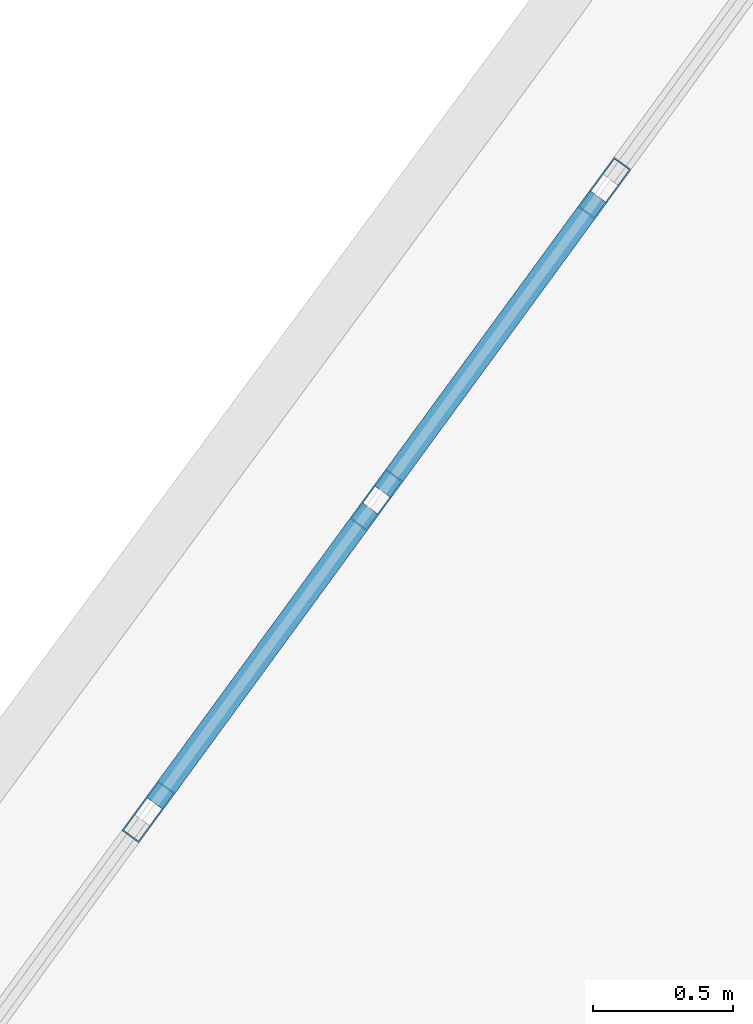
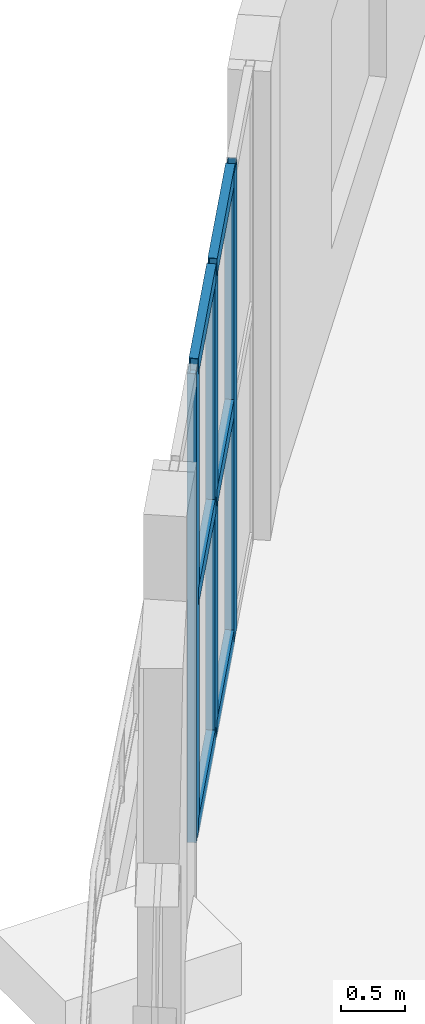
# One storey, part 8 of 23: 9 members, 1 element without a shape of its own.
"""IFC4 building model written with IfcOpenShell, lengths in metres."""

from ifc_helpers import new_model, si_unit, direction, frame, origin, origin_2d, place, context, subcontext, project, spatial, hollow_rectangle, extrude, material, layer, layer_set, material_profile, profile_set, type_object, element, aggregate, save


model = new_model("IFC4")

# Units and contexts
model_context = context("Model", 3, precision=1e-05, world=origin(), true_north=direction((0.0, 1.0)))
body_context = subcontext(model_context, "Body", "Model", "MODEL_VIEW")
ifc_project = project(units=[si_unit("LENGTHUNIT", "METRE"), si_unit("AREAUNIT", "SQUARE_METRE"), si_unit("VOLUMEUNIT", "CUBIC_METRE"), si_unit("PLANEANGLEUNIT", "RADIAN"), si_unit("MASSUNIT", "GRAM", prefix="KILO")], contexts=[model_context])

# Site, building, storey
site_placement = place(None, origin())
site = spatial("IfcSite", under=ifc_project, at=site_placement, CompositionType="ELEMENT")
building_placement = place(site_placement, origin())
building = spatial("IfcBuilding", under=site, at=building_placement, Name="Miruveldt Soraemaru", CompositionType="ELEMENT")
storey_placement = place(building_placement, frame((0.0, 0.0, 14.39990234375)))
storey = spatial("IfcBuildingStorey", under=building, at=storey_placement, Name="L04", CompositionType="ELEMENT", Elevation=14.39990234375)

# Curtain wall, members
ifc_material = material(Name="Anodised aluminium EN AW-6063 T6", Category="aluminium")
ifc_layer = layer(ifc_material, 0.219970703125, Name="Anodised aluminium EN AW-6063 T6", Category="aluminium")
ifc_layer_set = layer_set([ifc_layer], Name="Anodised aluminium EN AW-6063 T6")
curtain_wall_type = type_object("IfcCurtainWallType", Name="CW-SYS-2", PredefinedType="USERDEFINED", material=ifc_layer_set)
curtain_wall_placement = place(storey_placement, origin())
curtain_wall = element("IfcCurtainWall", 1, at=curtain_wall_placement, inside=storey, type_object=curtain_wall_type, Name="L04 Curtain Wall Bay 9", ObjectType="STOREFRONT", PredefinedType="USERDEFINED")
ifc_material_profile_1 = material_profile(ifc_material, hollow_rectangle(XDim=0.074951171875, YDim=0.219970703125, WallThickness=0.0048828125, at=origin_2d()), Name="Anodised aluminium EN AW-6063 T6", Category="aluminium")
ifc_profile_set_1 = profile_set([ifc_material_profile_1], Name="Anodised aluminium EN AW-6063 T6")
member_type_1 = type_object("IfcMemberType", Name="CWM-2", PredefinedType="MULLION", material=ifc_profile_set_1)
member_1_placement = place(storey_placement, frame((28.695556640625, 63.651611328125, 0.0), z_axis=(0.0, 0.0, 1.0), x_axis=(0.807242449767, -0.590219982121, 0.0)))
member_1 = element("IfcMember", 2, at=member_1_placement, type_object=member_type_1, Name="CW-2 mullion 2", PredefinedType="MULLION", context=body_context, shape_type="SweptSolid", body=[
    extrude(hollow_rectangle(XDim=0.074951171875, YDim=0.219970703125, WallThickness=0.0048828125, at=origin_2d()), origin(), (0.0, 0.0, 1.0), 4.5),
])
member_2_placement = place(storey_placement, frame((27.880615234375, 62.537109375, 0.0), z_axis=(0.0, 0.0, 1.0), x_axis=(0.807242449767, -0.590219982121, 0.0)))
member_2 = element("IfcMember", 3, at=member_2_placement, type_object=member_type_1, Name="CW-2 mullion 3", PredefinedType="MULLION", context=body_context, shape_type="SweptSolid", body=[
    extrude(hollow_rectangle(XDim=0.074951171875, YDim=0.219970703125, WallThickness=0.0048828125, at=origin_2d()), origin(), (0.0, 0.0, 1.0), 4.5),
])
member_3_placement = place(storey_placement, frame((27.06591796875, 61.422607421875, 0.0), z_axis=(0.0, 0.0, 1.0), x_axis=(0.807242449767, -0.590219982121, 0.0)))
member_3 = element("IfcMember", 4, at=member_3_placement, type_object=member_type_1, Name="CW-2 mullion 4", PredefinedType="MULLION", context=body_context, shape_type="SweptSolid", body=[
    extrude(hollow_rectangle(XDim=0.074951171875, YDim=0.219970703125, WallThickness=0.0048828125, at=origin_2d()), origin(), (0.0, 0.0, 1.0), 4.5),
])
ifc_material_profile_2 = material_profile(ifc_material, hollow_rectangle(XDim=0.074951171875, YDim=0.1650390625, WallThickness=0.00390625, at=origin_2d()), Name="Anodised aluminium EN AW-6063 T6", Category="aluminium")
ifc_profile_set_2 = profile_set([ifc_material_profile_2], Name="Anodised aluminium EN AW-6063 T6")
member_type_2 = type_object("IfcMemberType", Name="CWT-2", PredefinedType="USERDEFINED", material=ifc_profile_set_2)
member_4_placement = place(storey_placement, frame((28.67333984375, 63.621337890625, 0.03759765625), z_axis=(-0.590171299637, -0.807278041994, 0.0), x_axis=(0.807278041994, -0.590171299637, 0.0)))
member_4 = element("IfcMember", 5, at=member_4_placement, type_object=member_type_2, Name="CW-2 transom 2.1", ObjectType="TRANSOM", PredefinedType="USERDEFINED", context=body_context, shape_type="SweptSolid", body=[
    extrude(hollow_rectangle(XDim=0.074951171875, YDim=0.1650390625, WallThickness=0.00390625, at=origin_2d()), origin(), (0.0, 0.0, 1.0), 1.3056640625),
])
member_5_placement = place(storey_placement, frame((28.67333984375, 63.621337890625, 2.25), z_axis=(-0.590171299637, -0.807278041994, 0.0), x_axis=(0.807278041994, -0.590171299637, 0.0)))
member_5 = element("IfcMember", 6, at=member_5_placement, type_object=member_type_2, Name="CW-2 transom 2.2", ObjectType="TRANSOM", PredefinedType="USERDEFINED", context=body_context, shape_type="SweptSolid", body=[
    extrude(hollow_rectangle(XDim=0.074951171875, YDim=0.1650390625, WallThickness=0.00390625, at=origin_2d()), origin(), (0.0, 0.0, 1.0), 1.3056640625),
])
member_6_placement = place(storey_placement, frame((28.67333984375, 63.621337890625, 4.462646484375), z_axis=(-0.590171299637, -0.807278041994, 0.0), x_axis=(0.807278041994, -0.590171299637, 0.0)))
member_6 = element("IfcMember", 7, at=member_6_placement, type_object=member_type_2, Name="CW-2 transom 2.3", ObjectType="TRANSOM", PredefinedType="USERDEFINED", context=body_context, shape_type="SweptSolid", body=[
    extrude(hollow_rectangle(XDim=0.074951171875, YDim=0.1650390625, WallThickness=0.00390625, at=origin_2d()), origin(), (0.0, 0.0, 1.0), 1.3056640625),
])
member_7_placement = place(storey_placement, frame((27.858642578125, 62.5068359375, 0.03759765625), z_axis=(-0.590171299637, -0.807278041994, 0.0), x_axis=(0.807278041994, -0.590171299637, 0.0)))
member_7 = element("IfcMember", 8, at=member_7_placement, type_object=member_type_2, Name="CW-2 transom 3.1", ObjectType="TRANSOM", PredefinedType="USERDEFINED", context=body_context, shape_type="SweptSolid", body=[
    extrude(hollow_rectangle(XDim=0.074951171875, YDim=0.1650390625, WallThickness=0.00390625, at=origin_2d()), origin(), (0.0, 0.0, 1.0), 1.3056640625),
])
member_8_placement = place(storey_placement, frame((27.858642578125, 62.5068359375, 2.25), z_axis=(-0.590171299637, -0.807278041994, 0.0), x_axis=(0.807278041994, -0.590171299637, 0.0)))
member_8 = element("IfcMember", 9, at=member_8_placement, type_object=member_type_2, Name="CW-2 transom 3.2", ObjectType="TRANSOM", PredefinedType="USERDEFINED", context=body_context, shape_type="SweptSolid", body=[
    extrude(hollow_rectangle(XDim=0.074951171875, YDim=0.1650390625, WallThickness=0.00390625, at=origin_2d()), origin(), (0.0, 0.0, 1.0), 1.3056640625),
])
member_9_placement = place(storey_placement, frame((27.858642578125, 62.5068359375, 4.462646484375), z_axis=(-0.590171299637, -0.807278041994, 0.0), x_axis=(0.807278041994, -0.590171299637, 0.0)))
member_9 = element("IfcMember", 10, at=member_9_placement, type_object=member_type_2, Name="CW-2 transom 3.3", ObjectType="TRANSOM", PredefinedType="USERDEFINED", context=body_context, shape_type="SweptSolid", body=[
    extrude(hollow_rectangle(XDim=0.074951171875, YDim=0.1650390625, WallThickness=0.00390625, at=origin_2d()), origin(), (0.0, 0.0, 1.0), 1.3056640625),
])
aggregate(curtain_wall, [member_1, member_2, member_3, member_4, member_5, member_6, member_7, member_8, member_9])

save(model, "model.ifc")
